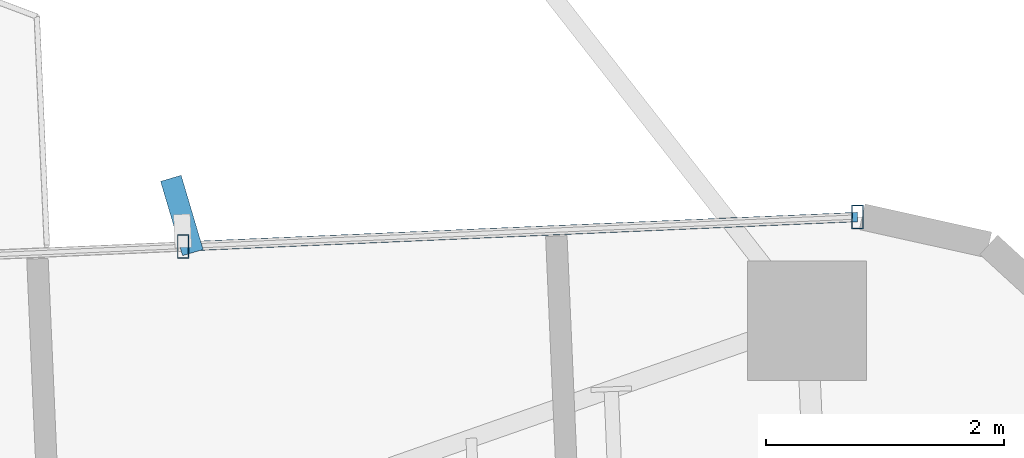
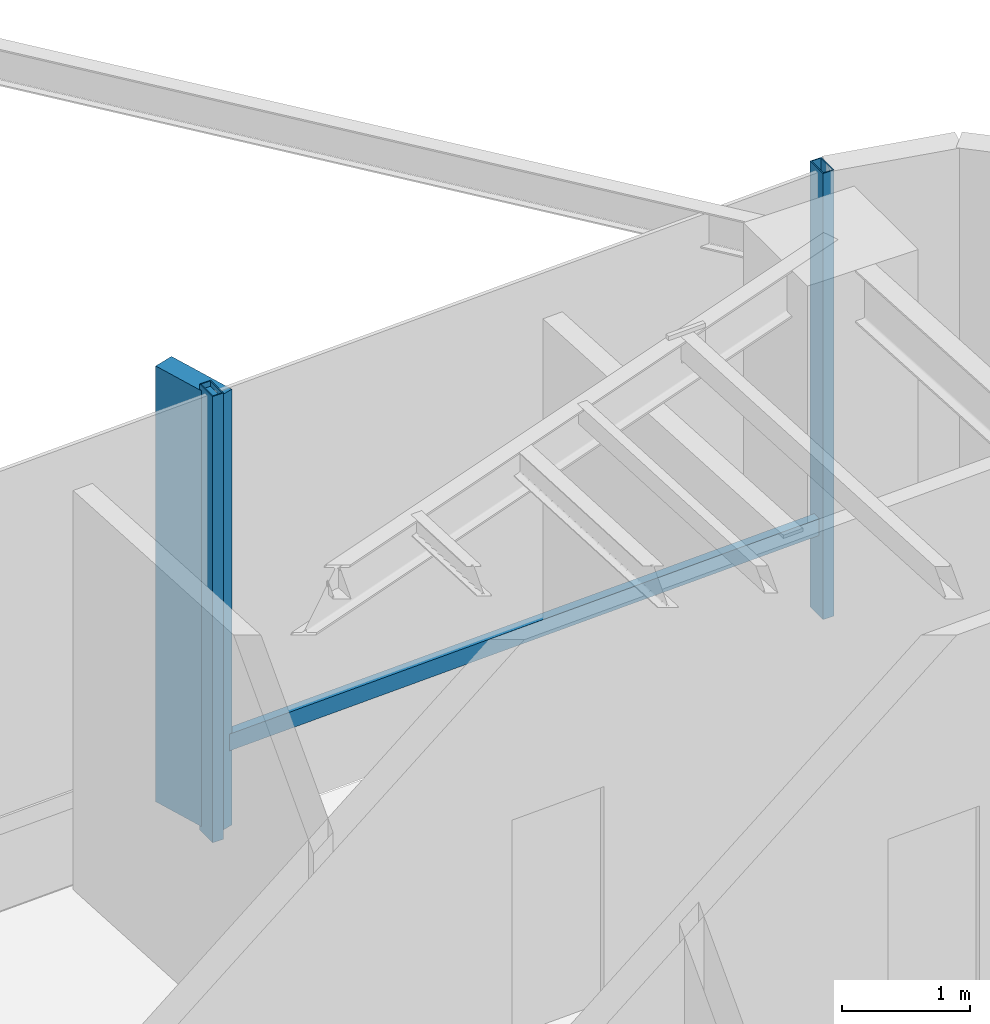
# One storey, part 14 of 23: 4 members, 1 element without a shape of its own.
"""IFC4 building model written with IfcOpenShell, lengths in metres."""

from ifc_helpers import new_model, si_unit, direction, frame, origin, origin_2d, place, context, subcontext, project, spatial, rectangle, hollow_rectangle, extrude, source, transform, mapped, material, material_profile, profile_set, type_object, element, aggregate, save


model = new_model("IFC4")

# Units and contexts
model_context = context("Model", 3, precision=1e-05, world=origin(), true_north=direction((0.0, 1.0)))
body_context = subcontext(model_context, "Body", "Model", "MODEL_VIEW")
ifc_project = project(units=[si_unit("LENGTHUNIT", "METRE"), si_unit("AREAUNIT", "SQUARE_METRE"), si_unit("VOLUMEUNIT", "CUBIC_METRE"), si_unit("PLANEANGLEUNIT", "RADIAN"), si_unit("MASSUNIT", "GRAM", prefix="KILO")], contexts=[model_context])

# Site, building, storey
site_placement = place(None, origin())
site = spatial("IfcSite", under=ifc_project, at=site_placement, CompositionType="ELEMENT")
building_placement = place(site_placement, origin())
building = spatial("IfcBuilding", under=site, at=building_placement, Name="Sahyath Konkavel Grand Hotel", CompositionType="ELEMENT")
storey_placement = place(building_placement, frame((0.0, 0.0, 106.949951171875)))
storey = spatial("IfcBuildingStorey", under=building, at=storey_placement, Name="L29", CompositionType="ELEMENT", Elevation=106.949951171875)

# Curtain wall, members
ifc_material_1 = material(Name="Anodised Bronze Aluminium & Low-E Glazing", Category="aluminium")
curtain_wall_type = type_object("IfcCurtainWallType", Name="CW-SKYLOBBY", PredefinedType="NOTDEFINED", material=ifc_material_1)
curtain_wall_placement = place(storey_placement, origin())
curtain_wall = element("IfcCurtainWall", 1, at=curtain_wall_placement, inside=storey, type_object=curtain_wall_type, Name="L29 Unitised Curtain Wall F7", PredefinedType="NOTDEFINED")
ifc_material_2 = material(Name="Anodised Bronze Aluminium", Category="aluminium")
ifc_material_profile_1 = material_profile(ifc_material_2, hollow_rectangle(XDim=0.10009765625, YDim=0.199951171875, WallThickness=0.008056640625, at=origin_2d()), Name="RHS 200x100x8")
ifc_profile_set_1 = profile_set([ifc_material_profile_1], Name="Anodised Bronze Aluminium")
member_type_1 = type_object("IfcMemberType", Name="CW-MUL-200", PredefinedType="MULLION", material=ifc_profile_set_1)
shared_shape_1 = source(origin(), body_context, "Body", "SweptSolid", [
    extrude(hollow_rectangle(XDim=0.10009765625, YDim=0.199951171875, WallThickness=0.008056640625, at=origin_2d()), origin(), (0.0, 0.0, 1.0), 4.260009765625),
])
member_1_placement = place(storey_placement, frame((17.655029296875, 7.377197265625, 0.0), z_axis=(0.0, 0.0, 1.0), x_axis=(1.0, 0.0, 0.0)))
member_1 = element("IfcMember", 2, at=member_1_placement, type_object=member_type_1, Name="L29 Curtain Wall Mullion F7-0", PredefinedType="MULLION", context=body_context, shape_type="MappedRepresentation", body=[
    mapped(shared_shape_1, transform((0.0, 0.0, 0.0), scale=1.0)),
])
member_2_placement = place(storey_placement, frame((12.00048828125, 7.13037109375, 0.0), z_axis=(0.0, 0.0, 1.0), x_axis=(1.0, 0.0, 0.0)))
member_2 = element("IfcMember", 3, at=member_2_placement, type_object=member_type_1, Name="L29 Curtain Wall Mullion F7-1", PredefinedType="MULLION", context=body_context, shape_type="MappedRepresentation", body=[
    mapped(shared_shape_1, transform((0.0, 0.0, 0.0), scale=1.0)),
])
ifc_material_3 = material(Name="Warm Buff Sandstone Cladding on Concrete C50/60", Category="masonry")
ifc_material_profile_2 = material_profile(ifc_material_3, rectangle(XDim=0.179931640625, YDim=0.64990234375, at=origin_2d()), Name="FIN 180x650")
ifc_profile_set_2 = profile_set([ifc_material_profile_2], Name="Warm Buff Sandstone Cladding on Concrete C50/60")
member_type_2 = type_object("IfcMemberType", Name="FIN-SANDSTONE-650", PredefinedType="MULLION", material=ifc_profile_set_2)
shared_shape_2 = source(origin(), body_context, "Body", "SweptSolid", [
    extrude(rectangle(XDim=0.179931640625, YDim=0.64990234375, at=origin_2d()), origin(), (0.0, 0.0, 1.0), 4.159912109375),
])
member_3_placement = place(storey_placement, frame((11.989013671875, 7.39013671875, 0.050048828125), z_axis=(0.0, 0.0, 1.0), x_axis=(0.958720536398, 0.28435001862, 0.0)))
member_3 = element("IfcMember", 4, at=member_3_placement, type_object=member_type_2, Name="L29 Sandstone Vertical Solar Fin FIN F7-1", PredefinedType="MULLION", context=body_context, shape_type="MappedRepresentation", body=[
    mapped(shared_shape_2, transform((0.0, 0.0, 0.0), scale=1.0)),
])
ifc_material_profile_3 = material_profile(ifc_material_2, hollow_rectangle(XDim=0.080078125, YDim=0.159912109375, WallThickness=0.006103515625, at=origin_2d()), Name="RHS 160x80x6")
ifc_profile_set_3 = profile_set([ifc_material_profile_3], Name="Anodised Bronze Aluminium")
member_type_3 = type_object("IfcMemberType", Name="CW-TRN-160", PredefinedType="USERDEFINED", material=ifc_profile_set_3)
shared_shape_3 = source(origin(), body_context, "Body", "SweptSolid", [
    extrude(hollow_rectangle(XDim=0.080078125, YDim=0.159912109375, WallThickness=0.006103515625, at=origin_2d()), origin(), (0.0, 0.0, 1.0), 5.659912109375),
])
member_4_placement = place(storey_placement, frame((17.655029296875, 7.377197265625, 0.85009765625), z_axis=(-0.999048655935, -0.043609437898, 0.0), x_axis=(0.043609437898, -0.999048655935, 0.0)))
member_4 = element("IfcMember", 5, at=member_4_placement, type_object=member_type_3, Name="L29 Curtain Wall Transom F7-0-spandrel", ObjectType="TRANSOM", PredefinedType="USERDEFINED", context=body_context, shape_type="MappedRepresentation", body=[
    mapped(shared_shape_3, transform((0.0, 0.0, 0.0), scale=1.0)),
])
aggregate(curtain_wall, [member_1, member_2, member_3, member_4])

save(model, "model.ifc")
